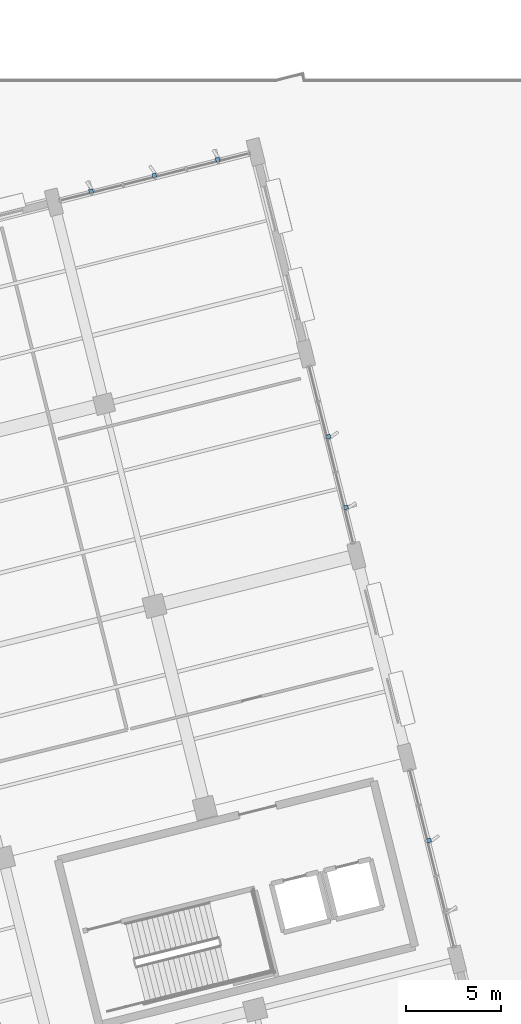
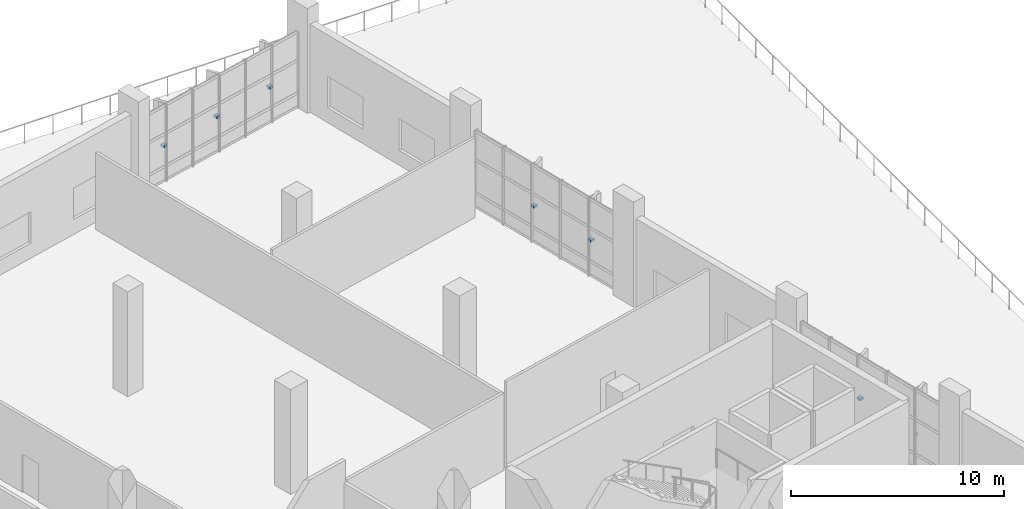
# One storey, part 141 of 163: 6 discrete accessories.
"""IFC4 building model written with IfcOpenShell, lengths in metres."""

from ifc_helpers import new_model, si_unit, direction, frame, origin, origin_2d, place, context, subcontext, project, spatial, rectangle, extrude, material, type_object, element, save


model = new_model("IFC4")

# Units and contexts
model_context = context("Model", 3, precision=1e-05, world=origin(), true_north=direction((0.0, 1.0)))
body_context = subcontext(model_context, "Body", "Model", "MODEL_VIEW")
ifc_project = project(units=[si_unit("LENGTHUNIT", "METRE"), si_unit("AREAUNIT", "SQUARE_METRE"), si_unit("VOLUMEUNIT", "CUBIC_METRE"), si_unit("PLANEANGLEUNIT", "RADIAN"), si_unit("MASSUNIT", "GRAM", prefix="KILO")], contexts=[model_context])

# Site, building, storey
site_placement = place(None, origin())
site = spatial("IfcSite", under=ifc_project, at=site_placement, CompositionType="ELEMENT")
building_placement = place(site_placement, origin())
building = spatial("IfcBuilding", under=site, at=building_placement, Name="Khorjan Park Terminus", CompositionType="ELEMENT")
storey_placement = place(building_placement, origin())
storey = spatial("IfcBuildingStorey", under=building, at=storey_placement, Name="L00", CompositionType="ELEMENT", Elevation=0.0)

# Discrete accessories
ifc_material = material(Name="Steel S355", Category="steel")
discrete_accessory_type = type_object("IfcDiscreteAccessoryType", Name="ACC-BRK-FIN", PredefinedType="BRACKET", material=ifc_material)
for number, where, z_axis, x_axis, name in (
    (1, (223.2407, 45.6073, 1.9843), (0.0, 0.0, 1.0), (-0.241922975976, 0.970295456907, 0.0), "Solar fin structural bracket BK-01 (CW-V5-E-L00-B03-3)"),
    (2, (218.8514, 63.2123, 1.9212), (0.0, 0.0, 1.0), (-0.241935125171, 0.970292427678, 0.0), "Solar fin structural bracket BK-01 (CW-V5-E-L00-B05-1)"),
    (3, (217.9185, 66.9536, 1.9212), (0.0, 0.0, 1.0), (-0.241935125171, 0.970292427678, 0.0), "Solar fin structural bracket BK-01 (CW-V5-E-L00-B05-3)"),
    (4, (212.0587, 81.5969, 1.8988), (0.0, 0.0, 1.0), (-0.970294194364, -0.241928039679, 0.0), "Solar fin structural bracket BK-01 (CW-V5-N-L00-B01-1)"),
    (5, (208.7142, 80.763, 1.8988), (0.0, 0.0, 1.0), (-0.970294194364, -0.241928039679, 0.0), "Solar fin structural bracket BK-01 (CW-V5-N-L00-B01-3)"),
    (6, (205.3696, 79.9291, 1.8988), (0.0, 0.0, 1.0), (-0.970294194364, -0.241928039679, 0.0), "Solar fin structural bracket BK-01 (CW-V5-N-L00-B01-5)"),
):
    element("IfcDiscreteAccessory", number, at=place(storey_placement, frame(where, z_axis=z_axis, x_axis=x_axis)), inside=storey, type_object=discrete_accessory_type, Name=name, PredefinedType="BRACKET", context=body_context, shape_type="SweptSolid", body=[
        extrude(rectangle(XDim=0.22, YDim=0.22, at=origin_2d()), origin(), (0.0, 0.0, 1.0), 0.14),
    ])

save(model, "model.ifc")
